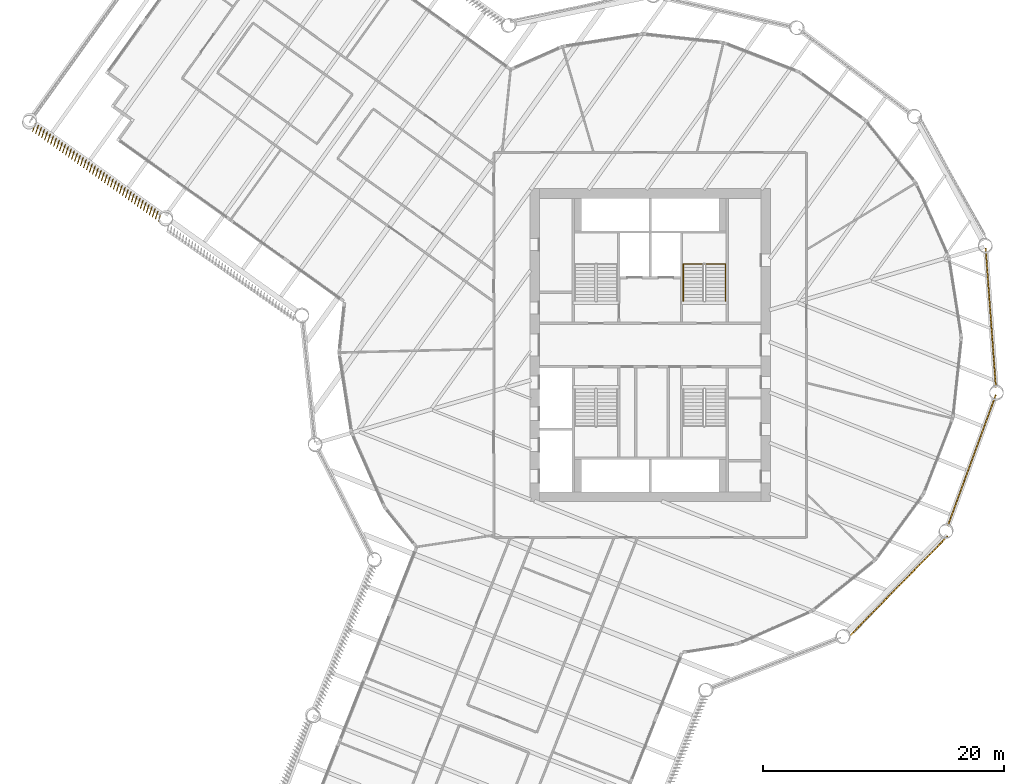
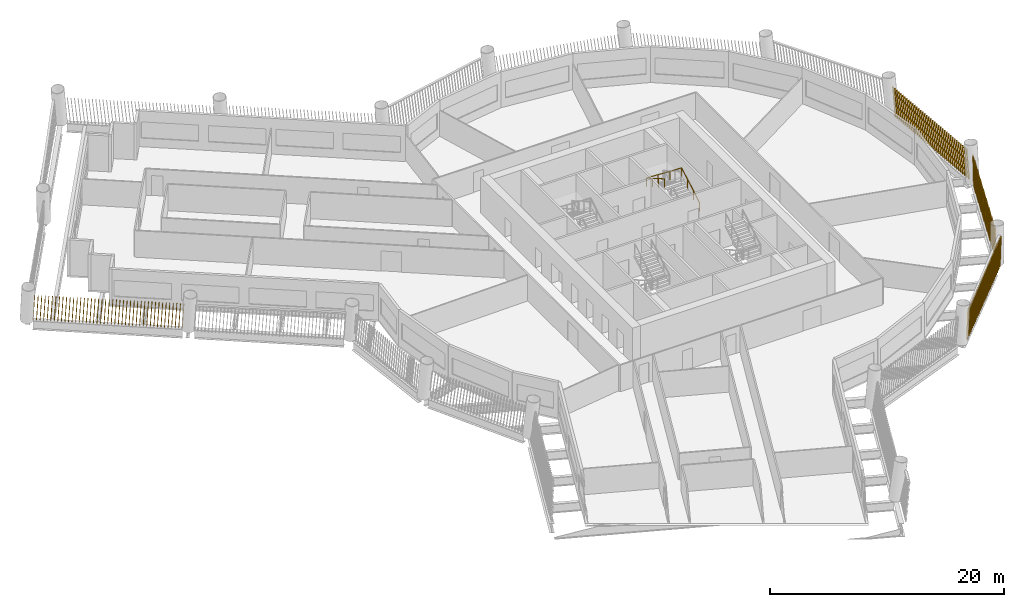
# One storey, part 14 of 17: 4 shading devices, 1 railing.
"""IFC4 building model written with IfcOpenShell, lengths in metres."""

from ifc_helpers import new_model, si_unit, direction, frame, frame_2d, origin, origin_2d, place, context, subcontext, project, spatial, rectangle, circle, composite_profile, extrude, material, type_object, element, save


model = new_model("IFC4")

# Units and contexts
model_context = context("Model", 3, precision=1e-05, world=origin(), true_north=direction((0.0, 1.0)))
body_context = subcontext(model_context, "Body", "Model", "MODEL_VIEW")
ifc_project = project(units=[si_unit("LENGTHUNIT", "METRE"), si_unit("AREAUNIT", "SQUARE_METRE"), si_unit("VOLUMEUNIT", "CUBIC_METRE"), si_unit("PLANEANGLEUNIT", "RADIAN"), si_unit("MASSUNIT", "GRAM", prefix="KILO")], contexts=[model_context])

# Site, building, storey
site_placement = place(None, origin())
site = spatial("IfcSite", under=ifc_project, at=site_placement, CompositionType="ELEMENT")
building_placement = place(site_placement, origin())
building = spatial("IfcBuilding", under=site, at=building_placement, Name="Tarsis Ring Headquarters", CompositionType="ELEMENT")
storey_placement = place(building_placement, frame((0.0, 0.0, 127.89990234375)))
storey = spatial("IfcBuildingStorey", under=building, at=storey_placement, Name="L29", CompositionType="ELEMENT", Elevation=127.89990234375)

# Railing
ifc_material_1 = material(Name="Steel S355", Category="steel")
railing_type = type_object("IfcRailingType", Name="Core stair handrail 900", PredefinedType="HANDRAIL", material=ifc_material_1)
railing_placement = place(storey_placement, frame((6.25, 3.659912109375, 0.16259765625)))
element("IfcRailing", 1, at=railing_placement, inside=storey, type_object=railing_type, Name="L29 ST2 stair handrail 1", PredefinedType="HANDRAIL", context=body_context, shape_type="SweptSolid", body=[
    extrude(circle(Radius=0.02392578125, at=origin_2d()), frame((0.0, 0.0, 0.8759765625), z_axis=(0.0, 0.864890721111, 0.501960198159), x_axis=(-1.0, 0.0, 0.0)), (0.0, 0.0, 1.0), 3.561279296875),
    extrude(circle(Radius=0.02392578125, at=origin_2d()), frame((0.0, 3.080078125, 2.66357421875), z_axis=(-0.998925869279, 0.0, 0.04633689335), x_axis=(0.0, -1.0, 0.0)), (0.0, 0.0, 1.0), 3.503662109375),
    extrude(circle(Radius=0.02392578125, at=origin_2d()), frame((-3.5, 3.080078125, 2.82568359375), z_axis=(0.0, -0.864890721111, 0.501960198159), x_axis=(1.0, 0.0, 0.0)), (0.0, 0.0, 1.0), 3.561279296875),
    extrude(circle(Radius=0.02099609375, at=origin_2d()), origin(), (0.0, 0.0, 1.0), 0.851806640625),
    extrude(circle(Radius=0.02099609375, at=origin_2d()), frame((0.0, 1.026611328125, 0.595947265625)), (0.0, 0.0, 1.0), 0.851806640625),
    extrude(circle(Radius=0.02099609375, at=origin_2d()), frame((0.0, 2.053466796875, 1.191650390625)), (0.0, 0.0, 1.0), 0.851806640625),
    extrude(circle(Radius=0.02099609375, at=origin_2d()), frame((0.0, 3.080078125, 1.78759765625)), (0.0, 0.0, 1.0), 0.851806640625),
    extrude(circle(Radius=0.02099609375, at=origin_2d()), frame((-1.166748046875, 3.080078125, 1.841796875)), (0.0, 0.0, 1.0), 0.851806640625),
    extrude(circle(Radius=0.02099609375, at=origin_2d()), frame((-2.333251953125, 3.080078125, 1.895751953125)), (0.0, 0.0, 1.0), 0.851806640625),
    extrude(circle(Radius=0.02099609375, at=origin_2d()), frame((-3.5, 3.080078125, 1.949951171875)), (0.0, 0.0, 1.0), 0.851806640625),
    extrude(circle(Radius=0.02099609375, at=origin_2d()), frame((-3.5, 2.053466796875, 2.5458984375)), (0.0, 0.0, 1.0), 0.851806640625),
    extrude(circle(Radius=0.02099609375, at=origin_2d()), frame((-3.5, 1.026611328125, 3.1416015625)), (0.0, 0.0, 1.0), 0.851806640625),
    extrude(circle(Radius=0.02099609375, at=origin_2d()), frame((-3.5, 0.0, 3.737548828125)), (0.0, 0.0, 1.0), 0.851806640625),
])

# Shading devices
ifc_material_2 = material(Name="Terracotta baguette", Category="masonry")
shading_device_type = type_object("IfcShadingDeviceType", Name="Terracotta baguette screen", PredefinedType="USERDEFINED", material=ifc_material_2)
shading_device_1_placement = place(storey_placement, frame((16.58837890625, -24.17041015625, 0.0), z_axis=(0.0, 0.0, 1.0), x_axis=(0.700603350985, 0.713538501606, 0.0)))
element("IfcShadingDevice", 2, at=shading_device_1_placement, inside=storey, type_object=shading_device_type, Name="Baguette screen L29-08", ObjectType="Terracotta baguette screen", PredefinedType="USERDEFINED", context=body_context, shape_type="SweptSolid", body=[
    extrude(composite_profile([rectangle(XDim=0.06005859375, YDim=0.1201171875, at=frame_2d((0.030029296875, 0.0))), rectangle(XDim=0.06005859375, YDim=0.1201171875, at=frame_2d((0.33251953125, 0.0))), rectangle(XDim=0.06005859375, YDim=0.1201171875, at=frame_2d((0.634765625, 0.0))), rectangle(XDim=0.06005859375, YDim=0.1201171875, at=frame_2d((0.937255859375, 0.0))), rectangle(XDim=0.06005859375, YDim=0.1201171875, at=frame_2d((1.239501953125, 0.0))), rectangle(XDim=0.06005859375, YDim=0.1201171875, at=frame_2d((1.5419921875, 0.0))), rectangle(XDim=0.06005859375, YDim=0.1201171875, at=frame_2d((1.844482421875, 0.0))), rectangle(XDim=0.06005859375, YDim=0.1201171875, at=frame_2d((2.146728515625, 0.0))), rectangle(XDim=0.06005859375, YDim=0.1201171875, at=frame_2d((2.44921875, 0.0))), rectangle(XDim=0.06005859375, YDim=0.1201171875, at=frame_2d((2.751708984375, 0.0))), rectangle(XDim=0.06005859375, YDim=0.1201171875, at=frame_2d((3.053955078125, 0.0))), rectangle(XDim=0.06005859375, YDim=0.1201171875, at=frame_2d((3.3564453125, 0.0))), rectangle(XDim=0.06005859375, YDim=0.1201171875, at=frame_2d((3.65869140625, 0.0))), rectangle(XDim=0.06005859375, YDim=0.1201171875, at=frame_2d((3.961181640625, 0.0))), rectangle(XDim=0.06005859375, YDim=0.1201171875, at=frame_2d((4.263671875, 0.0))), rectangle(XDim=0.06005859375, YDim=0.1201171875, at=frame_2d((4.56591796875, 0.0))), rectangle(XDim=0.06005859375, YDim=0.1201171875, at=frame_2d((4.868408203125, 0.0))), rectangle(XDim=0.06005859375, YDim=0.1201171875, at=frame_2d((5.1708984375, 0.0))), rectangle(XDim=0.06005859375, YDim=0.1201171875, at=frame_2d((5.47314453125, 0.0))), rectangle(XDim=0.06005859375, YDim=0.1201171875, at=frame_2d((5.775634765625, 0.0))), rectangle(XDim=0.06005859375, YDim=0.1201171875, at=frame_2d((6.077880859375, 0.0))), rectangle(XDim=0.06005859375, YDim=0.1201171875, at=frame_2d((6.38037109375, 0.0))), rectangle(XDim=0.06005859375, YDim=0.1201171875, at=frame_2d((6.682861328125, 0.0))), rectangle(XDim=0.06005859375, YDim=0.1201171875, at=frame_2d((6.985107421875, 0.0))), rectangle(XDim=0.06005859375, YDim=0.1201171875, at=frame_2d((7.28759765625, 0.0))), rectangle(XDim=0.06005859375, YDim=0.1201171875, at=frame_2d((7.590087890625, 0.0))), rectangle(XDim=0.06005859375, YDim=0.1201171875, at=frame_2d((7.892333984375, 0.0))), rectangle(XDim=0.06005859375, YDim=0.1201171875, at=frame_2d((8.19482421875, 0.0))), rectangle(XDim=0.06005859375, YDim=0.1201171875, at=frame_2d((8.4970703125, 0.0))), rectangle(XDim=0.06005859375, YDim=0.1201171875, at=frame_2d((8.799560546875, 0.0))), rectangle(XDim=0.06005859375, YDim=0.1201171875, at=frame_2d((9.10205078125, 0.0))), rectangle(XDim=0.06005859375, YDim=0.1201171875, at=frame_2d((9.404296875, 0.0))), rectangle(XDim=0.06005859375, YDim=0.1201171875, at=frame_2d((9.706787109375, 0.0))), rectangle(XDim=0.06005859375, YDim=0.1201171875, at=frame_2d((10.00927734375, 0.0))), rectangle(XDim=0.06005859375, YDim=0.1201171875, at=frame_2d((10.3115234375, 0.0))), rectangle(XDim=0.06005859375, YDim=0.1201171875, at=frame_2d((10.614013671875, 0.0))), rectangle(XDim=0.06005859375, YDim=0.1201171875, at=frame_2d((10.916259765625, 0.0))), rectangle(XDim=0.06005859375, YDim=0.1201171875, at=frame_2d((11.21875, 0.0)))]), origin(), (0.131494000909, 0.00089428017, 0.991316562955), 2.978515625),
])
shading_device_2_placement = place(storey_placement, frame((24.724365234375, -15.054931640625, 0.0), z_axis=(0.0, 0.0, 1.0), x_axis=(0.344213907457, 0.938883583644, 0.0)))
element("IfcShadingDevice", 3, at=shading_device_2_placement, inside=storey, type_object=shading_device_type, Name="Baguette screen L29-09", ObjectType="Terracotta baguette screen", PredefinedType="USERDEFINED", context=body_context, shape_type="SweptSolid", body=[
    extrude(composite_profile([rectangle(XDim=0.06005859375, YDim=0.1201171875, at=frame_2d((0.030029296875, 0.0))), rectangle(XDim=0.06005859375, YDim=0.1201171875, at=frame_2d((0.33251953125, 0.0))), rectangle(XDim=0.06005859375, YDim=0.1201171875, at=frame_2d((0.634765625, 0.0))), rectangle(XDim=0.06005859375, YDim=0.1201171875, at=frame_2d((0.937255859375, 0.0))), rectangle(XDim=0.06005859375, YDim=0.1201171875, at=frame_2d((1.239501953125, 0.0))), rectangle(XDim=0.06005859375, YDim=0.1201171875, at=frame_2d((1.5419921875, 0.0))), rectangle(XDim=0.06005859375, YDim=0.1201171875, at=frame_2d((1.844482421875, 0.0))), rectangle(XDim=0.06005859375, YDim=0.1201171875, at=frame_2d((2.146728515625, 0.0))), rectangle(XDim=0.06005859375, YDim=0.1201171875, at=frame_2d((2.44921875, 0.0))), rectangle(XDim=0.06005859375, YDim=0.1201171875, at=frame_2d((2.751708984375, 0.0))), rectangle(XDim=0.06005859375, YDim=0.1201171875, at=frame_2d((3.053955078125, 0.0))), rectangle(XDim=0.06005859375, YDim=0.1201171875, at=frame_2d((3.3564453125, 0.0))), rectangle(XDim=0.06005859375, YDim=0.1201171875, at=frame_2d((3.65869140625, 0.0))), rectangle(XDim=0.06005859375, YDim=0.1201171875, at=frame_2d((3.961181640625, 0.0))), rectangle(XDim=0.06005859375, YDim=0.1201171875, at=frame_2d((4.263671875, 0.0))), rectangle(XDim=0.06005859375, YDim=0.1201171875, at=frame_2d((4.56591796875, 0.0))), rectangle(XDim=0.06005859375, YDim=0.1201171875, at=frame_2d((4.868408203125, 0.0))), rectangle(XDim=0.06005859375, YDim=0.1201171875, at=frame_2d((5.1708984375, 0.0))), rectangle(XDim=0.06005859375, YDim=0.1201171875, at=frame_2d((5.47314453125, 0.0))), rectangle(XDim=0.06005859375, YDim=0.1201171875, at=frame_2d((5.775634765625, 0.0))), rectangle(XDim=0.06005859375, YDim=0.1201171875, at=frame_2d((6.077880859375, 0.0))), rectangle(XDim=0.06005859375, YDim=0.1201171875, at=frame_2d((6.38037109375, 0.0))), rectangle(XDim=0.06005859375, YDim=0.1201171875, at=frame_2d((6.682861328125, 0.0))), rectangle(XDim=0.06005859375, YDim=0.1201171875, at=frame_2d((6.985107421875, 0.0))), rectangle(XDim=0.06005859375, YDim=0.1201171875, at=frame_2d((7.28759765625, 0.0))), rectangle(XDim=0.06005859375, YDim=0.1201171875, at=frame_2d((7.590087890625, 0.0))), rectangle(XDim=0.06005859375, YDim=0.1201171875, at=frame_2d((7.892333984375, 0.0))), rectangle(XDim=0.06005859375, YDim=0.1201171875, at=frame_2d((8.19482421875, 0.0))), rectangle(XDim=0.06005859375, YDim=0.1201171875, at=frame_2d((8.4970703125, 0.0))), rectangle(XDim=0.06005859375, YDim=0.1201171875, at=frame_2d((8.799560546875, 0.0))), rectangle(XDim=0.06005859375, YDim=0.1201171875, at=frame_2d((9.10205078125, 0.0))), rectangle(XDim=0.06005859375, YDim=0.1201171875, at=frame_2d((9.404296875, 0.0))), rectangle(XDim=0.06005859375, YDim=0.1201171875, at=frame_2d((9.706787109375, 0.0))), rectangle(XDim=0.06005859375, YDim=0.1201171875, at=frame_2d((10.00927734375, 0.0))), rectangle(XDim=0.06005859375, YDim=0.1201171875, at=frame_2d((10.3115234375, 0.0))), rectangle(XDim=0.06005859375, YDim=0.1201171875, at=frame_2d((10.614013671875, 0.0))), rectangle(XDim=0.06005859375, YDim=0.1201171875, at=frame_2d((10.916259765625, 0.0))), rectangle(XDim=0.06005859375, YDim=0.1201171875, at=frame_2d((11.21875, 0.0)))]), origin(), (0.129809179124, 0.000884100444, 0.991538600046), 2.977783203125),
])
shading_device_3_placement = place(storey_placement, frame((28.731689453125, -3.525390625, 0.0), z_axis=(0.0, 0.0, 1.0), x_axis=(-0.073380358112, 0.997308735757, 0.0)))
element("IfcShadingDevice", 4, at=shading_device_3_placement, inside=storey, type_object=shading_device_type, Name="Baguette screen L29-10", ObjectType="Terracotta baguette screen", PredefinedType="USERDEFINED", context=body_context, shape_type="SweptSolid", body=[
    extrude(composite_profile([rectangle(XDim=0.06005859375, YDim=0.1201171875, at=frame_2d((0.030029296875, 0.0))), rectangle(XDim=0.06005859375, YDim=0.1201171875, at=frame_2d((0.33251953125, 0.0))), rectangle(XDim=0.06005859375, YDim=0.1201171875, at=frame_2d((0.634765625, 0.0))), rectangle(XDim=0.06005859375, YDim=0.1201171875, at=frame_2d((0.937255859375, 0.0))), rectangle(XDim=0.06005859375, YDim=0.1201171875, at=frame_2d((1.239501953125, 0.0))), rectangle(XDim=0.06005859375, YDim=0.1201171875, at=frame_2d((1.5419921875, 0.0))), rectangle(XDim=0.06005859375, YDim=0.1201171875, at=frame_2d((1.844482421875, 0.0))), rectangle(XDim=0.06005859375, YDim=0.1201171875, at=frame_2d((2.146728515625, 0.0))), rectangle(XDim=0.06005859375, YDim=0.1201171875, at=frame_2d((2.44921875, 0.0))), rectangle(XDim=0.06005859375, YDim=0.1201171875, at=frame_2d((2.751708984375, 0.0))), rectangle(XDim=0.06005859375, YDim=0.1201171875, at=frame_2d((3.053955078125, 0.0))), rectangle(XDim=0.06005859375, YDim=0.1201171875, at=frame_2d((3.3564453125, 0.0))), rectangle(XDim=0.06005859375, YDim=0.1201171875, at=frame_2d((3.65869140625, 0.0))), rectangle(XDim=0.06005859375, YDim=0.1201171875, at=frame_2d((3.961181640625, 0.0))), rectangle(XDim=0.06005859375, YDim=0.1201171875, at=frame_2d((4.263671875, 0.0))), rectangle(XDim=0.06005859375, YDim=0.1201171875, at=frame_2d((4.56591796875, 0.0))), rectangle(XDim=0.06005859375, YDim=0.1201171875, at=frame_2d((4.868408203125, 0.0))), rectangle(XDim=0.06005859375, YDim=0.1201171875, at=frame_2d((5.1708984375, 0.0))), rectangle(XDim=0.06005859375, YDim=0.1201171875, at=frame_2d((5.47314453125, 0.0))), rectangle(XDim=0.06005859375, YDim=0.1201171875, at=frame_2d((5.775634765625, 0.0))), rectangle(XDim=0.06005859375, YDim=0.1201171875, at=frame_2d((6.077880859375, 0.0))), rectangle(XDim=0.06005859375, YDim=0.1201171875, at=frame_2d((6.38037109375, 0.0))), rectangle(XDim=0.06005859375, YDim=0.1201171875, at=frame_2d((6.682861328125, 0.0))), rectangle(XDim=0.06005859375, YDim=0.1201171875, at=frame_2d((6.985107421875, 0.0))), rectangle(XDim=0.06005859375, YDim=0.1201171875, at=frame_2d((7.28759765625, 0.0))), rectangle(XDim=0.06005859375, YDim=0.1201171875, at=frame_2d((7.590087890625, 0.0))), rectangle(XDim=0.06005859375, YDim=0.1201171875, at=frame_2d((7.892333984375, 0.0))), rectangle(XDim=0.06005859375, YDim=0.1201171875, at=frame_2d((8.19482421875, 0.0))), rectangle(XDim=0.06005859375, YDim=0.1201171875, at=frame_2d((8.4970703125, 0.0))), rectangle(XDim=0.06005859375, YDim=0.1201171875, at=frame_2d((8.799560546875, 0.0))), rectangle(XDim=0.06005859375, YDim=0.1201171875, at=frame_2d((9.10205078125, 0.0))), rectangle(XDim=0.06005859375, YDim=0.1201171875, at=frame_2d((9.404296875, 0.0))), rectangle(XDim=0.06005859375, YDim=0.1201171875, at=frame_2d((9.706787109375, 0.0))), rectangle(XDim=0.06005859375, YDim=0.1201171875, at=frame_2d((10.00927734375, 0.0))), rectangle(XDim=0.06005859375, YDim=0.1201171875, at=frame_2d((10.3115234375, 0.0))), rectangle(XDim=0.06005859375, YDim=0.1201171875, at=frame_2d((10.614013671875, 0.0))), rectangle(XDim=0.06005859375, YDim=0.1201171875, at=frame_2d((10.916259765625, 0.0))), rectangle(XDim=0.06005859375, YDim=0.1201171875, at=frame_2d((11.21875, 0.0)))]), origin(), (0.129810913815, 0.000885144737, 0.991538372013), 2.977783203125),
])
shading_device_4_placement = place(storey_placement, frame((-51.13427734375, 18.428955078125, 0.0), z_axis=(0.0, 0.0, 1.0), x_axis=(0.812897366031, -0.582406145928, 0.0)))
element("IfcShadingDevice", 5, at=shading_device_4_placement, inside=storey, type_object=shading_device_type, Name="Baguette screen L29-19", ObjectType="Terracotta baguette screen", PredefinedType="USERDEFINED", context=body_context, shape_type="SweptSolid", body=[
    extrude(composite_profile([rectangle(XDim=0.06005859375, YDim=0.1201171875, at=frame_2d((0.030029296875, 0.0))), rectangle(XDim=0.06005859375, YDim=0.1201171875, at=frame_2d((0.335693359375, 0.0))), rectangle(XDim=0.06005859375, YDim=0.1201171875, at=frame_2d((0.6416015625, 0.0))), rectangle(XDim=0.06005859375, YDim=0.1201171875, at=frame_2d((0.947265625, 0.0))), rectangle(XDim=0.06005859375, YDim=0.1201171875, at=frame_2d((1.253173828125, 0.0))), rectangle(XDim=0.06005859375, YDim=0.1201171875, at=frame_2d((1.558837890625, 0.0))), rectangle(XDim=0.06005859375, YDim=0.1201171875, at=frame_2d((1.864501953125, 0.0))), rectangle(XDim=0.06005859375, YDim=0.1201171875, at=frame_2d((2.17041015625, 0.0))), rectangle(XDim=0.06005859375, YDim=0.1201171875, at=frame_2d((2.47607421875, 0.0))), rectangle(XDim=0.06005859375, YDim=0.1201171875, at=frame_2d((2.781982421875, 0.0))), rectangle(XDim=0.06005859375, YDim=0.1201171875, at=frame_2d((3.087646484375, 0.0))), rectangle(XDim=0.06005859375, YDim=0.1201171875, at=frame_2d((3.393310546875, 0.0))), rectangle(XDim=0.06005859375, YDim=0.1201171875, at=frame_2d((3.69921875, 0.0))), rectangle(XDim=0.06005859375, YDim=0.1201171875, at=frame_2d((4.0048828125, 0.0))), rectangle(XDim=0.06005859375, YDim=0.1201171875, at=frame_2d((4.310791015625, 0.0))), rectangle(XDim=0.06005859375, YDim=0.1201171875, at=frame_2d((4.616455078125, 0.0))), rectangle(XDim=0.06005859375, YDim=0.1201171875, at=frame_2d((4.922119140625, 0.0))), rectangle(XDim=0.06005859375, YDim=0.1201171875, at=frame_2d((5.22802734375, 0.0))), rectangle(XDim=0.06005859375, YDim=0.1201171875, at=frame_2d((5.53369140625, 0.0))), rectangle(XDim=0.06005859375, YDim=0.1201171875, at=frame_2d((5.839599609375, 0.0))), rectangle(XDim=0.06005859375, YDim=0.1201171875, at=frame_2d((6.145263671875, 0.0))), rectangle(XDim=0.06005859375, YDim=0.1201171875, at=frame_2d((6.451171875, 0.0))), rectangle(XDim=0.06005859375, YDim=0.1201171875, at=frame_2d((6.7568359375, 0.0))), rectangle(XDim=0.06005859375, YDim=0.1201171875, at=frame_2d((7.0625, 0.0))), rectangle(XDim=0.06005859375, YDim=0.1201171875, at=frame_2d((7.368408203125, 0.0))), rectangle(XDim=0.06005859375, YDim=0.1201171875, at=frame_2d((7.674072265625, 0.0))), rectangle(XDim=0.06005859375, YDim=0.1201171875, at=frame_2d((7.97998046875, 0.0))), rectangle(XDim=0.06005859375, YDim=0.1201171875, at=frame_2d((8.28564453125, 0.0))), rectangle(XDim=0.06005859375, YDim=0.1201171875, at=frame_2d((8.59130859375, 0.0))), rectangle(XDim=0.06005859375, YDim=0.1201171875, at=frame_2d((8.897216796875, 0.0))), rectangle(XDim=0.06005859375, YDim=0.1201171875, at=frame_2d((9.202880859375, 0.0))), rectangle(XDim=0.06005859375, YDim=0.1201171875, at=frame_2d((9.5087890625, 0.0))), rectangle(XDim=0.06005859375, YDim=0.1201171875, at=frame_2d((9.814453125, 0.0))), rectangle(XDim=0.06005859375, YDim=0.1201171875, at=frame_2d((10.1201171875, 0.0))), rectangle(XDim=0.06005859375, YDim=0.1201171875, at=frame_2d((10.426025390625, 0.0))), rectangle(XDim=0.06005859375, YDim=0.1201171875, at=frame_2d((10.731689453125, 0.0))), rectangle(XDim=0.06005859375, YDim=0.1201171875, at=frame_2d((11.03759765625, 0.0))), rectangle(XDim=0.06005859375, YDim=0.1201171875, at=frame_2d((11.34326171875, 0.0))), rectangle(XDim=0.06005859375, YDim=0.1201171875, at=frame_2d((11.64892578125, 0.0))), rectangle(XDim=0.06005859375, YDim=0.1201171875, at=frame_2d((11.954833984375, 0.0))), rectangle(XDim=0.06005859375, YDim=0.1201171875, at=frame_2d((12.260498046875, 0.0))), rectangle(XDim=0.06005859375, YDim=0.1201171875, at=frame_2d((12.56640625, 0.0))), rectangle(XDim=0.06005859375, YDim=0.1201171875, at=frame_2d((12.8720703125, 0.0)))]), origin(), (0.068016521358, -0.205903259563, 0.976205716293), 3.024658203125),
])

save(model, "model.ifc")
